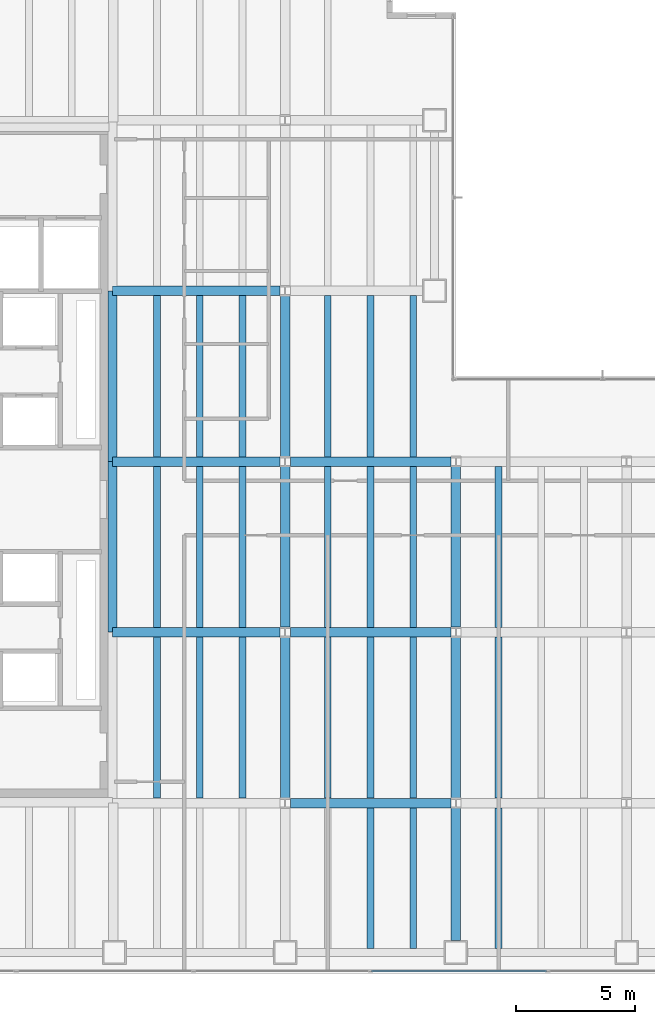
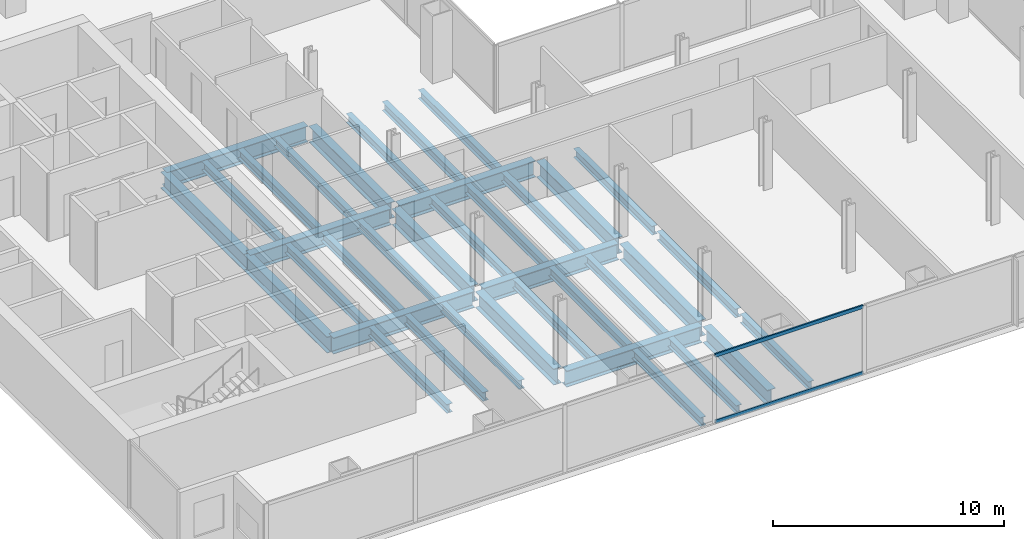
# One storey, part 5 of 25: 37 beams, 2 members, 1 element without a shape of its own.
"""IFC4 building model written with IfcOpenShell, lengths in metres."""

from ifc_helpers import new_model, si_unit, direction, frame, origin, origin_2d, place, context, subcontext, project, spatial, hollow_rectangle, i_section, extrude, material, material_profile, profile_set, type_object, element, aggregate, save


model = new_model("IFC4")

# Units and contexts
model_context = context("Model", 3, precision=1e-05, world=origin(), true_north=direction((0.0, 1.0)))
body_context = subcontext(model_context, "Body", "Model", "MODEL_VIEW")
ifc_project = project(units=[si_unit("LENGTHUNIT", "METRE"), si_unit("AREAUNIT", "SQUARE_METRE"), si_unit("VOLUMEUNIT", "CUBIC_METRE"), si_unit("PLANEANGLEUNIT", "RADIAN"), si_unit("MASSUNIT", "GRAM", prefix="KILO")], contexts=[model_context])

# Site, building, storey
site_placement = place(None, origin())
site = spatial("IfcSite", under=ifc_project, at=site_placement, CompositionType="ELEMENT")
building_placement = place(site_placement, origin())
building = spatial("IfcBuilding", under=site, at=building_placement, Name="Cobrela Telecom Tower", CompositionType="ELEMENT")
storey_placement = place(building_placement, frame((0.0, 0.0, 58.10009765625)))
storey = spatial("IfcBuildingStorey", under=building, at=storey_placement, Name="L14", CompositionType="ELEMENT", Elevation=58.10009765625)

# Beams
ifc_material_1 = material(Name="Steel ASTM A992 Grade 50", Category="steel")
ifc_material_profile_1 = material_profile(ifc_material_1, i_section(OverallWidth=0.39892578125, OverallDepth=0.85595703125, WebThickness=0.018310546875, FlangeThickness=0.029296875, FilletRadius=0.02001953125, at=origin_2d()), Name="W33X201")
ifc_profile_set_1 = profile_set([ifc_material_profile_1], Name="Steel ASTM A992 Grade 50")
beam_type_1 = type_object("IfcBeamType", Name="BM-GIRD-03", PredefinedType="USERDEFINED", material=ifc_profile_set_1)
beam_1_placement = place(storey_placement, frame((21.81591796875, 7.199951171875, -0.7080078125), z_axis=(1.0, 0.0, 0.0), x_axis=(0.0, 1.0, 0.0)))
element("IfcBeam", 1, at=beam_1_placement, inside=storey, type_object=beam_type_1, Name="L14 Primary Girder X09", ObjectType="GIRDER", PredefinedType="USERDEFINED", context=body_context, shape_type="SweptSolid", body=[
    extrude(i_section(OverallWidth=0.39892578125, OverallDepth=0.85595703125, WebThickness=0.018310546875, FlangeThickness=0.029296875, FilletRadius=0.02001953125, at=origin_2d()), origin(), (0.0, 0.0, 1.0), 6.76806640625),
])
beam_2_placement = place(storey_placement, frame((14.324951171875, 14.39990234375, -0.7080078125), z_axis=(1.0, 0.0, 0.0), x_axis=(0.0, 1.0, 0.0)))
element("IfcBeam", 2, at=beam_2_placement, inside=storey, type_object=beam_type_1, Name="L14 Primary Girder X13", ObjectType="GIRDER", PredefinedType="USERDEFINED", context=body_context, shape_type="SweptSolid", body=[
    extrude(i_section(OverallWidth=0.39892578125, OverallDepth=0.85595703125, WebThickness=0.018310546875, FlangeThickness=0.029296875, FilletRadius=0.02001953125, at=origin_2d()), origin(), (0.0, 0.0, 1.0), 7.05908203125),
])
beam_3_placement = place(storey_placement, frame((21.81591796875, 14.39990234375, -0.7080078125), z_axis=(1.0, 0.0, 0.0), x_axis=(0.0, 1.0, 0.0)))
element("IfcBeam", 3, at=beam_3_placement, inside=storey, type_object=beam_type_1, Name="L14 Primary Girder X14", ObjectType="GIRDER", PredefinedType="USERDEFINED", context=body_context, shape_type="SweptSolid", body=[
    extrude(i_section(OverallWidth=0.39892578125, OverallDepth=0.85595703125, WebThickness=0.018310546875, FlangeThickness=0.029296875, FilletRadius=0.02001953125, at=origin_2d()), origin(), (0.0, 0.0, 1.0), 6.76806640625),
])
beam_4_placement = place(storey_placement, frame((14.324951171875, 21.60009765625, -0.7080078125), z_axis=(1.0, 0.0, 0.0), x_axis=(0.0, 1.0, 0.0)))
element("IfcBeam", 4, at=beam_4_placement, inside=storey, type_object=beam_type_1, Name="L14 Primary Girder X18", ObjectType="GIRDER", PredefinedType="USERDEFINED", context=body_context, shape_type="SweptSolid", body=[
    extrude(i_section(OverallWidth=0.39892578125, OverallDepth=0.85595703125, WebThickness=0.018310546875, FlangeThickness=0.029296875, FilletRadius=0.02001953125, at=origin_2d()), origin(), (0.0, 0.0, 1.0), 7.05908203125),
])
beam_5_placement = place(storey_placement, frame((21.81591796875, 21.60009765625, -0.7080078125), z_axis=(1.0, 0.0, 0.0), x_axis=(0.0, 1.0, 0.0)))
element("IfcBeam", 5, at=beam_5_placement, inside=storey, type_object=beam_type_1, Name="L14 Primary Girder X19", ObjectType="GIRDER", PredefinedType="USERDEFINED", context=body_context, shape_type="SweptSolid", body=[
    extrude(i_section(OverallWidth=0.39892578125, OverallDepth=0.85595703125, WebThickness=0.018310546875, FlangeThickness=0.029296875, FilletRadius=0.02001953125, at=origin_2d()), origin(), (0.0, 0.0, 1.0), 6.76806640625),
])
beam_6_placement = place(storey_placement, frame((14.324951171875, 28.800048828125, -0.7080078125), z_axis=(1.0, 0.0, 0.0), x_axis=(0.0, 1.0, 0.0)))
element("IfcBeam", 6, at=beam_6_placement, inside=storey, type_object=beam_type_1, Name="L14 Primary Girder X23", ObjectType="GIRDER", PredefinedType="USERDEFINED", context=body_context, shape_type="SweptSolid", body=[
    extrude(i_section(OverallWidth=0.39892578125, OverallDepth=0.85595703125, WebThickness=0.018310546875, FlangeThickness=0.029296875, FilletRadius=0.02001953125, at=origin_2d()), origin(), (0.0, 0.0, 1.0), 7.05908203125),
])
for number, where, z_axis, x_axis, name in (
    (7, (14.320068359375, 14.405029296875, -0.7080078125), (0.0, 1.0, 0.0), (-1.0, 0.0, 0.0), "L14 Primary Girder Y36"),
    (8, (14.320068359375, 21.60498046875, -0.7080078125), (0.0, 1.0, 0.0), (-1.0, 0.0, 0.0), "L14 Primary Girder Y37"),
):
    element("IfcBeam", number, at=place(storey_placement, frame(where, z_axis=z_axis, x_axis=x_axis)), inside=storey, type_object=beam_type_1, Name=name, ObjectType="GIRDER", PredefinedType="USERDEFINED", context=body_context, shape_type="SweptSolid", body=[
        extrude(i_section(OverallWidth=0.39892578125, OverallDepth=0.85595703125, WebThickness=0.018310546875, FlangeThickness=0.029296875, FilletRadius=0.02001953125, at=origin_2d()), origin(), (0.0, 0.0, 1.0), 7.18994140625),
    ])
for number, where, z_axis, x_axis, name in (
    (9, (21.60009765625, 7.416015625, -0.7080078125), (0.0, 1.0, 0.0), (-1.0, 0.0, 0.0), "L14 Primary Girder Y41"),
    (10, (21.60009765625, 14.615966796875, -0.7080078125), (0.0, 1.0, 0.0), (-1.0, 0.0, 0.0), "L14 Primary Girder Y42"),
    (11, (21.60009765625, 21.81591796875, -0.7080078125), (0.0, 1.0, 0.0), (-1.0, 0.0, 0.0), "L14 Primary Girder Y43"),
):
    element("IfcBeam", number, at=place(storey_placement, frame(where, z_axis=z_axis, x_axis=x_axis)), inside=storey, type_object=beam_type_1, Name=name, ObjectType="GIRDER", PredefinedType="USERDEFINED", context=body_context, shape_type="SweptSolid", body=[
        extrude(i_section(OverallWidth=0.39892578125, OverallDepth=0.85595703125, WebThickness=0.018310546875, FlangeThickness=0.029296875, FilletRadius=0.02001953125, at=origin_2d()), origin(), (0.0, 0.0, 1.0), 6.76806640625),
    ])
beam_7_placement = place(storey_placement, frame((28.800048828125, 1.405029296875, -0.7080078125), z_axis=(0.0, 1.0, 0.0), x_axis=(-1.0, 0.0, 0.0)))
element("IfcBeam", 12, at=beam_7_placement, inside=storey, type_object=beam_type_1, Name="L14 Primary Girder Y47", ObjectType="GIRDER", PredefinedType="USERDEFINED", context=body_context, shape_type="SweptSolid", body=[
    extrude(i_section(OverallWidth=0.39892578125, OverallDepth=0.85595703125, WebThickness=0.018310546875, FlangeThickness=0.029296875, FilletRadius=0.02001953125, at=origin_2d()), origin(), (0.0, 0.0, 1.0), 5.578857421875),
])
for number, where, z_axis, x_axis, name in (
    (13, (28.800048828125, 7.416015625, -0.7080078125), (0.0, 1.0, 0.0), (-1.0, 0.0, 0.0), "L14 Primary Girder Y48"),
    (14, (28.800048828125, 14.615966796875, -0.7080078125), (0.0, 1.0, 0.0), (-1.0, 0.0, 0.0), "L14 Primary Girder Y49"),
):
    element("IfcBeam", number, at=place(storey_placement, frame(where, z_axis=z_axis, x_axis=x_axis)), inside=storey, type_object=beam_type_1, Name=name, ObjectType="GIRDER", PredefinedType="USERDEFINED", context=body_context, shape_type="SweptSolid", body=[
        extrude(i_section(OverallWidth=0.39892578125, OverallDepth=0.85595703125, WebThickness=0.018310546875, FlangeThickness=0.029296875, FilletRadius=0.02001953125, at=origin_2d()), origin(), (0.0, 0.0, 1.0), 6.76806640625),
    ])
ifc_material_profile_2 = material_profile(ifc_material_1, i_section(OverallWidth=0.281982421875, OverallDepth=0.467041015625, WebThickness=0.01220703125, FlangeThickness=0.01953125, FilletRadius=0.012939453125, at=origin_2d()), Name="W18X86")
ifc_profile_set_2 = profile_set([ifc_material_profile_2], Name="Steel ASTM A992 Grade 50")
beam_type_2 = type_object("IfcBeamType", Name="BM-JOIST-02", PredefinedType="JOIST", material=ifc_profile_set_2)
for number, where, z_axis, x_axis, name in (
    (15, (16.199951171875, 7.404541015625, -0.513671875), (0.0, 1.0, 0.0), (-1.0, 0.0, 0.0), "L14 Secondary Composite Floor Beam J08"),
    (16, (16.199951171875, 14.6044921875, -0.513671875), (0.0, 1.0, 0.0), (-1.0, 0.0, 0.0), "L14 Secondary Composite Floor Beam J09"),
    (17, (16.199951171875, 21.804443359375, -0.513671875), (0.0, 1.0, 0.0), (-1.0, 0.0, 0.0), "L14 Secondary Composite Floor Beam J10"),
    (18, (18.0, 7.404541015625, -0.513671875), (0.0, 1.0, 0.0), (-1.0, 0.0, 0.0), "L14 Secondary Composite Floor Beam J14"),
    (19, (18.0, 14.6044921875, -0.513671875), (0.0, 1.0, 0.0), (-1.0, 0.0, 0.0), "L14 Secondary Composite Floor Beam J15"),
    (20, (18.0, 21.804443359375, -0.513671875), (0.0, 1.0, 0.0), (-1.0, 0.0, 0.0), "L14 Secondary Composite Floor Beam J16"),
    (21, (19.800048828125, 7.404541015625, -0.513671875), (0.0, 1.0, 0.0), (-1.0, 0.0, 0.0), "L14 Secondary Composite Floor Beam J20"),
    (22, (19.800048828125, 14.6044921875, -0.513671875), (0.0, 1.0, 0.0), (-1.0, 0.0, 0.0), "L14 Secondary Composite Floor Beam J21"),
    (23, (19.800048828125, 21.804443359375, -0.513671875), (0.0, 1.0, 0.0), (-1.0, 0.0, 0.0), "L14 Secondary Composite Floor Beam J22"),
    (24, (23.39990234375, 7.404541015625, -0.513671875), (0.0, 1.0, 0.0), (-1.0, 0.0, 0.0), "L14 Secondary Composite Floor Beam J26"),
    (25, (23.39990234375, 14.6044921875, -0.513671875), (0.0, 1.0, 0.0), (-1.0, 0.0, 0.0), "L14 Secondary Composite Floor Beam J27"),
    (26, (23.39990234375, 21.804443359375, -0.513671875), (0.0, 1.0, 0.0), (-1.0, 0.0, 0.0), "L14 Secondary Composite Floor Beam J28"),
):
    element("IfcBeam", number, at=place(storey_placement, frame(where, z_axis=z_axis, x_axis=x_axis)), inside=storey, type_object=beam_type_2, Name=name, PredefinedType="JOIST", context=body_context, shape_type="SweptSolid", body=[
        extrude(i_section(OverallWidth=0.281982421875, OverallDepth=0.467041015625, WebThickness=0.01220703125, FlangeThickness=0.01953125, FilletRadius=0.012939453125, at=origin_2d()), origin(), (0.0, 0.0, 1.0), 6.791015625),
    ])
beam_8_placement = place(storey_placement, frame((25.199951171875, 1.0673828125, -0.513671875), z_axis=(0.0, 1.0, 0.0), x_axis=(-1.0, 0.0, 0.0)))
element("IfcBeam", 27, at=beam_8_placement, inside=storey, type_object=beam_type_2, Name="L14 Secondary Composite Floor Beam J31", PredefinedType="JOIST", context=body_context, shape_type="SweptSolid", body=[
    extrude(i_section(OverallWidth=0.281982421875, OverallDepth=0.467041015625, WebThickness=0.01220703125, FlangeThickness=0.01953125, FilletRadius=0.012939453125, at=origin_2d()), origin(), (0.0, 0.0, 1.0), 5.92822265625),
])
for number, where, z_axis, x_axis, name in (
    (28, (25.199951171875, 7.404541015625, -0.513671875), (0.0, 1.0, 0.0), (-1.0, 0.0, 0.0), "L14 Secondary Composite Floor Beam J32"),
    (29, (25.199951171875, 14.6044921875, -0.513671875), (0.0, 1.0, 0.0), (-1.0, 0.0, 0.0), "L14 Secondary Composite Floor Beam J33"),
    (30, (25.199951171875, 21.804443359375, -0.513671875), (0.0, 1.0, 0.0), (-1.0, 0.0, 0.0), "L14 Secondary Composite Floor Beam J34"),
):
    element("IfcBeam", number, at=place(storey_placement, frame(where, z_axis=z_axis, x_axis=x_axis)), inside=storey, type_object=beam_type_2, Name=name, PredefinedType="JOIST", context=body_context, shape_type="SweptSolid", body=[
        extrude(i_section(OverallWidth=0.281982421875, OverallDepth=0.467041015625, WebThickness=0.01220703125, FlangeThickness=0.01953125, FilletRadius=0.012939453125, at=origin_2d()), origin(), (0.0, 0.0, 1.0), 6.791015625),
    ])
beam_9_placement = place(storey_placement, frame((27.0, 1.0673828125, -0.513671875), z_axis=(0.0, 1.0, 0.0), x_axis=(-1.0, 0.0, 0.0)))
element("IfcBeam", 31, at=beam_9_placement, inside=storey, type_object=beam_type_2, Name="L14 Secondary Composite Floor Beam J36", PredefinedType="JOIST", context=body_context, shape_type="SweptSolid", body=[
    extrude(i_section(OverallWidth=0.281982421875, OverallDepth=0.467041015625, WebThickness=0.01220703125, FlangeThickness=0.01953125, FilletRadius=0.012939453125, at=origin_2d()), origin(), (0.0, 0.0, 1.0), 5.92822265625),
])
for number, where, z_axis, x_axis, name in (
    (32, (27.0, 7.404541015625, -0.513671875), (0.0, 1.0, 0.0), (-1.0, 0.0, 0.0), "L14 Secondary Composite Floor Beam J37"),
    (33, (27.0, 14.6044921875, -0.513671875), (0.0, 1.0, 0.0), (-1.0, 0.0, 0.0), "L14 Secondary Composite Floor Beam J38"),
    (34, (27.0, 21.804443359375, -0.513671875), (0.0, 1.0, 0.0), (-1.0, 0.0, 0.0), "L14 Secondary Composite Floor Beam J39"),
):
    element("IfcBeam", number, at=place(storey_placement, frame(where, z_axis=z_axis, x_axis=x_axis)), inside=storey, type_object=beam_type_2, Name=name, PredefinedType="JOIST", context=body_context, shape_type="SweptSolid", body=[
        extrude(i_section(OverallWidth=0.281982421875, OverallDepth=0.467041015625, WebThickness=0.01220703125, FlangeThickness=0.01953125, FilletRadius=0.012939453125, at=origin_2d()), origin(), (0.0, 0.0, 1.0), 6.791015625),
    ])
beam_10_placement = place(storey_placement, frame((30.60009765625, 1.0673828125, -0.513671875), z_axis=(0.0, 1.0, 0.0), x_axis=(-1.0, 0.0, 0.0)))
element("IfcBeam", 35, at=beam_10_placement, inside=storey, type_object=beam_type_2, Name="L14 Secondary Composite Floor Beam J41", PredefinedType="JOIST", context=body_context, shape_type="SweptSolid", body=[
    extrude(i_section(OverallWidth=0.281982421875, OverallDepth=0.467041015625, WebThickness=0.01220703125, FlangeThickness=0.01953125, FilletRadius=0.012939453125, at=origin_2d()), origin(), (0.0, 0.0, 1.0), 5.92822265625),
])
for number, where, z_axis, x_axis, name in (
    (36, (30.60009765625, 7.404541015625, -0.513671875), (0.0, 1.0, 0.0), (-1.0, 0.0, 0.0), "L14 Secondary Composite Floor Beam J42"),
    (37, (30.60009765625, 14.6044921875, -0.513671875), (0.0, 1.0, 0.0), (-1.0, 0.0, 0.0), "L14 Secondary Composite Floor Beam J43"),
):
    element("IfcBeam", number, at=place(storey_placement, frame(where, z_axis=z_axis, x_axis=x_axis)), inside=storey, type_object=beam_type_2, Name=name, PredefinedType="JOIST", context=body_context, shape_type="SweptSolid", body=[
        extrude(i_section(OverallWidth=0.281982421875, OverallDepth=0.467041015625, WebThickness=0.01220703125, FlangeThickness=0.01953125, FilletRadius=0.012939453125, at=origin_2d()), origin(), (0.0, 0.0, 1.0), 6.791015625),
    ])

# Curtain wall, members
ifc_material_2 = material(Name="Anodized Bronze Aluminium 6063-T6", Category="aluminium")
curtain_wall_type = type_object("IfcCurtainWallType", Name="CW-SYS-DATA", PredefinedType="USERDEFINED", material=ifc_material_2)
curtain_wall_placement = place(storey_placement, origin())
curtain_wall = element("IfcCurtainWall", 38, at=curtain_wall_placement, inside=storey, type_object=curtain_wall_type, Name="L14 Unitised Bronze Curtain Wall 17", ObjectType="UNITISED CURTAIN WALL", PredefinedType="USERDEFINED")
ifc_material_profile_3 = material_profile(ifc_material_2, hollow_rectangle(XDim=0.074951171875, YDim=0.179931640625, WallThickness=0.00390625, at=origin_2d()), Name="ALU 75x180x4")
ifc_profile_set_3 = profile_set([ifc_material_profile_3], Name="Anodized Bronze Aluminium 6063-T6")
member_type = type_object("IfcMemberType", Name="CW-SYS-DATA-TRN", PredefinedType="USERDEFINED", material=ifc_profile_set_3)
member_1_placement = place(storey_placement, frame((32.6298828125, 0.1201171875, 0.037353515625), z_axis=(-1.0, 0.0, 0.0), x_axis=(0.0, -1.0, 0.0)))
member_1 = element("IfcMember", 39, at=member_1_placement, type_object=member_type, Name="CW-DATA transom 3.1", ObjectType="TRANSOM", PredefinedType="USERDEFINED", context=body_context, shape_type="SweptSolid", body=[
    extrude(hollow_rectangle(XDim=0.074951171875, YDim=0.179931640625, WallThickness=0.00390625, at=origin_2d()), origin(), (0.0, 0.0, 1.0), 7.389892578125),
])
member_2_placement = place(storey_placement, frame((32.6298828125, 0.1201171875, 3.532470703125), z_axis=(-1.0, 0.0, 0.0), x_axis=(0.0, -1.0, 0.0)))
member_2 = element("IfcMember", 40, at=member_2_placement, type_object=member_type, Name="CW-DATA transom 3.2", ObjectType="TRANSOM", PredefinedType="USERDEFINED", context=body_context, shape_type="SweptSolid", body=[
    extrude(hollow_rectangle(XDim=0.074951171875, YDim=0.179931640625, WallThickness=0.00390625, at=origin_2d()), origin(), (0.0, 0.0, 1.0), 7.389892578125),
])
aggregate(curtain_wall, [member_1, member_2])

save(model, "model.ifc")
